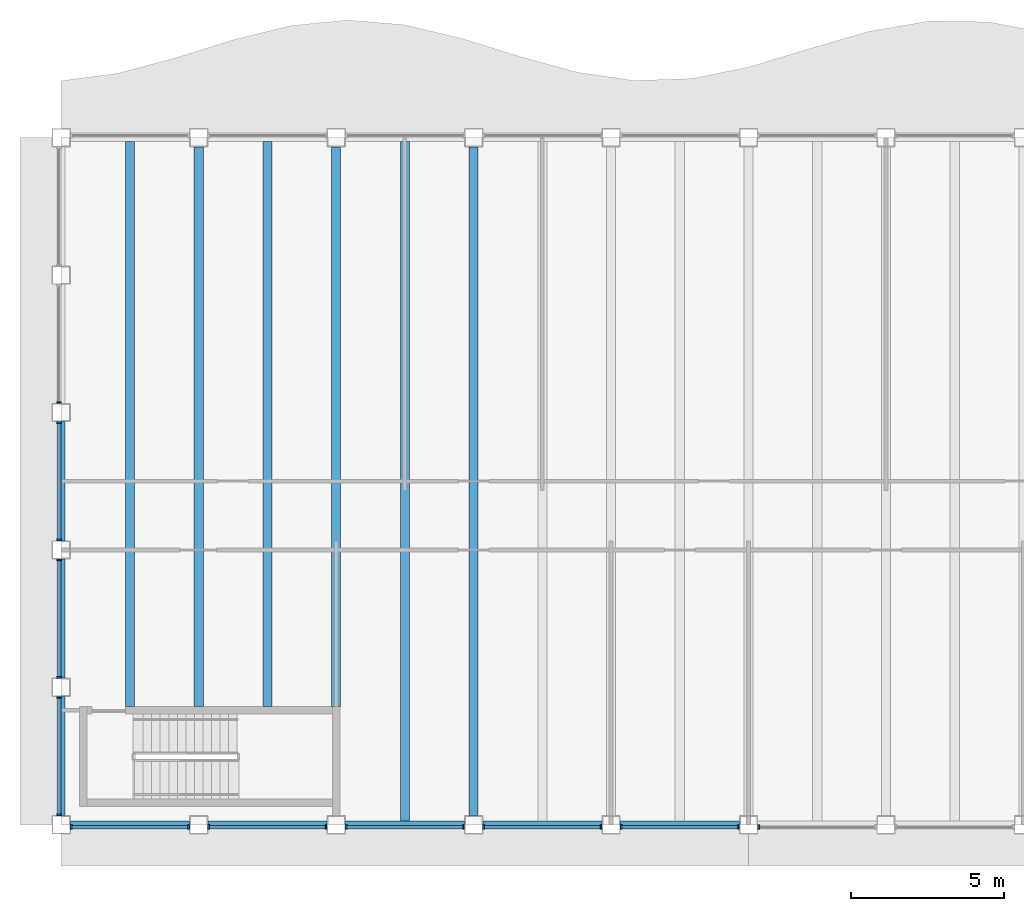
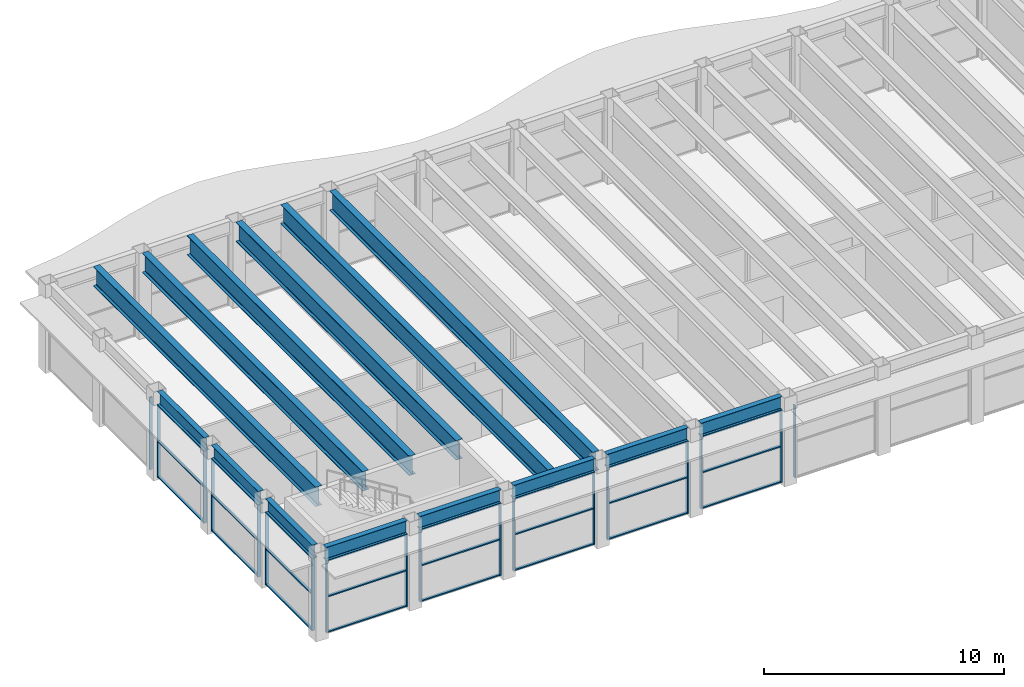
# One storey, part 2 of 14: 42 members, 14 beams, 10 elements without a shape of their own.
"""IFC4 building model written with IfcOpenShell, lengths in metres."""

from ifc_helpers import new_model, si_unit, direction, frame, origin, origin_2d, place, context, subcontext, project, spatial, rectangle, i_section, extrude, material, material_profile, profile_set, type_object, element, aggregate, save


model = new_model("IFC4")

# Units and contexts
model_context = context("Model", 3, precision=1e-05, world=origin(), true_north=direction((0.0, 1.0)))
body_context = subcontext(model_context, "Body", "Model", "MODEL_VIEW")
ifc_project = project(units=[si_unit("LENGTHUNIT", "METRE"), si_unit("AREAUNIT", "SQUARE_METRE"), si_unit("VOLUMEUNIT", "CUBIC_METRE"), si_unit("PLANEANGLEUNIT", "RADIAN"), si_unit("MASSUNIT", "GRAM", prefix="KILO")], contexts=[model_context])

# Site, building, storey
site_placement = place(None, origin())
site = spatial("IfcSite", under=ifc_project, at=site_placement, CompositionType="ELEMENT")
building_placement = place(site_placement, origin())
building = spatial("IfcBuilding", under=site, at=building_placement, Name="Sennacour Bend Tower", CompositionType="ELEMENT")
storey_placement = place(building_placement, frame((0.0, 0.0, 305.0)))
storey = spatial("IfcBuildingStorey", under=building, at=storey_placement, Name="L70", CompositionType="ELEMENT", Elevation=305.0)

# Curtain wall, members
ifc_material_1 = material(Name="Bronze anodised aluminium curtain wall with clear glass", Category="aluminium")
curtain_wall_type = type_object("IfcCurtainWallType", Name="CURTAIN WALL EXEC", PredefinedType="NOTDEFINED", material=ifc_material_1)
curtain_wall_1_placement = place(storey_placement, origin())
curtain_wall_1 = element("IfcCurtainWall", 1, at=curtain_wall_1_placement, inside=storey, type_object=curtain_wall_type, Name="Executive floor glass wall L70", PredefinedType="NOTDEFINED")
ifc_material_2 = material(Name="Aluminium 6063-T6", Category="aluminium")
ifc_material_profile_1 = material_profile(ifc_material_2, rectangle(XDim=0.14990234375, YDim=0.06005859375, at=origin_2d()), Name="Aluminium 6063-T6", Category="aluminium")
ifc_profile_set_1 = profile_set([ifc_material_profile_1], Name="Aluminium 6063-T6")
member_type_1 = type_object("IfcMemberType", Name="CW-MULLION-150X60", PredefinedType="MULLION", material=ifc_profile_set_1)
member_1_placement = place(storey_placement, frame((0.330078125, -0.074951171875, 0.0), z_axis=(0.0, 0.0, 1.0), x_axis=(0.0, 1.0, 0.0)))
member_1 = element("IfcMember", 2, at=member_1_placement, type_object=member_type_1, Name="GW3 curtain wall mullion 1", PredefinedType="MULLION", context=body_context, shape_type="SweptSolid", body=[
    extrude(rectangle(XDim=0.14990234375, YDim=0.06005859375, at=origin_2d()), origin(), (0.0, 0.0, 1.0), 3.672119140625),
])
member_2_placement = place(storey_placement, frame((4.169921875, -0.074951171875, 0.0), z_axis=(0.0, 0.0, 1.0), x_axis=(0.0, 1.0, 0.0)))
member_2 = element("IfcMember", 3, at=member_2_placement, type_object=member_type_1, Name="GW3 curtain wall mullion 2", PredefinedType="MULLION", context=body_context, shape_type="SweptSolid", body=[
    extrude(rectangle(XDim=0.14990234375, YDim=0.06005859375, at=origin_2d()), origin(), (0.0, 0.0, 1.0), 3.672119140625),
])

curtain_wall_2_placement = place(storey_placement, origin())
curtain_wall_2 = element("IfcCurtainWall", 4, at=curtain_wall_2_placement, inside=storey, type_object=curtain_wall_type, Name="Executive floor glass wall L70", PredefinedType="NOTDEFINED")
member_3_placement = place(storey_placement, frame((4.830078125, -0.074951171875, 0.0), z_axis=(0.0, 0.0, 1.0), x_axis=(0.0, 1.0, 0.0)))
member_3 = element("IfcMember", 5, at=member_3_placement, type_object=member_type_1, Name="GW3 curtain wall mullion 1", PredefinedType="MULLION", context=body_context, shape_type="SweptSolid", body=[
    extrude(rectangle(XDim=0.14990234375, YDim=0.06005859375, at=origin_2d()), origin(), (0.0, 0.0, 1.0), 3.672119140625),
])
member_4_placement = place(storey_placement, frame((8.669921875, -0.074951171875, 0.0), z_axis=(0.0, 0.0, 1.0), x_axis=(0.0, 1.0, 0.0)))
member_4 = element("IfcMember", 6, at=member_4_placement, type_object=member_type_1, Name="GW3 curtain wall mullion 2", PredefinedType="MULLION", context=body_context, shape_type="SweptSolid", body=[
    extrude(rectangle(XDim=0.14990234375, YDim=0.06005859375, at=origin_2d()), origin(), (0.0, 0.0, 1.0), 3.672119140625),
])

curtain_wall_3_placement = place(storey_placement, origin())
curtain_wall_3 = element("IfcCurtainWall", 7, at=curtain_wall_3_placement, inside=storey, type_object=curtain_wall_type, Name="Executive floor glass wall L70", PredefinedType="NOTDEFINED")
member_5_placement = place(storey_placement, frame((9.330078125, -0.074951171875, 0.0), z_axis=(0.0, 0.0, 1.0), x_axis=(0.0, 1.0, 0.0)))
member_5 = element("IfcMember", 8, at=member_5_placement, type_object=member_type_1, Name="GW3 curtain wall mullion 1", PredefinedType="MULLION", context=body_context, shape_type="SweptSolid", body=[
    extrude(rectangle(XDim=0.14990234375, YDim=0.06005859375, at=origin_2d()), origin(), (0.0, 0.0, 1.0), 3.672119140625),
])
member_6_placement = place(storey_placement, frame((13.169921875, -0.074951171875, 0.0), z_axis=(0.0, 0.0, 1.0), x_axis=(0.0, 1.0, 0.0)))
member_6 = element("IfcMember", 9, at=member_6_placement, type_object=member_type_1, Name="GW3 curtain wall mullion 2", PredefinedType="MULLION", context=body_context, shape_type="SweptSolid", body=[
    extrude(rectangle(XDim=0.14990234375, YDim=0.06005859375, at=origin_2d()), origin(), (0.0, 0.0, 1.0), 3.672119140625),
])

curtain_wall_4_placement = place(storey_placement, origin())
curtain_wall_4 = element("IfcCurtainWall", 10, at=curtain_wall_4_placement, inside=storey, type_object=curtain_wall_type, Name="Executive floor glass wall L70", PredefinedType="NOTDEFINED")
member_7_placement = place(storey_placement, frame((13.830078125, -0.074951171875, 0.0), z_axis=(0.0, 0.0, 1.0), x_axis=(0.0, 1.0, 0.0)))
member_7 = element("IfcMember", 11, at=member_7_placement, type_object=member_type_1, Name="GW3 curtain wall mullion 1", PredefinedType="MULLION", context=body_context, shape_type="SweptSolid", body=[
    extrude(rectangle(XDim=0.14990234375, YDim=0.06005859375, at=origin_2d()), origin(), (0.0, 0.0, 1.0), 3.672119140625),
])
member_8_placement = place(storey_placement, frame((17.669921875, -0.074951171875, 0.0), z_axis=(0.0, 0.0, 1.0), x_axis=(0.0, 1.0, 0.0)))
member_8 = element("IfcMember", 12, at=member_8_placement, type_object=member_type_1, Name="GW3 curtain wall mullion 2", PredefinedType="MULLION", context=body_context, shape_type="SweptSolid", body=[
    extrude(rectangle(XDim=0.14990234375, YDim=0.06005859375, at=origin_2d()), origin(), (0.0, 0.0, 1.0), 3.672119140625),
])

curtain_wall_5_placement = place(storey_placement, origin())
curtain_wall_5 = element("IfcCurtainWall", 13, at=curtain_wall_5_placement, inside=storey, type_object=curtain_wall_type, Name="Executive floor glass wall L70", PredefinedType="NOTDEFINED")
member_9_placement = place(storey_placement, frame((18.330078125, -0.074951171875, 0.0), z_axis=(0.0, 0.0, 1.0), x_axis=(0.0, 1.0, 0.0)))
member_9 = element("IfcMember", 14, at=member_9_placement, type_object=member_type_1, Name="GW3 curtain wall mullion 1", PredefinedType="MULLION", context=body_context, shape_type="SweptSolid", body=[
    extrude(rectangle(XDim=0.14990234375, YDim=0.06005859375, at=origin_2d()), origin(), (0.0, 0.0, 1.0), 3.672119140625),
])
member_10_placement = place(storey_placement, frame((22.169921875, -0.074951171875, 0.0), z_axis=(0.0, 0.0, 1.0), x_axis=(0.0, 1.0, 0.0)))
member_10 = element("IfcMember", 15, at=member_10_placement, type_object=member_type_1, Name="GW3 curtain wall mullion 2", PredefinedType="MULLION", context=body_context, shape_type="SweptSolid", body=[
    extrude(rectangle(XDim=0.14990234375, YDim=0.06005859375, at=origin_2d()), origin(), (0.0, 0.0, 1.0), 3.672119140625),
])

# Curtain wall, member
curtain_wall_6_placement = place(storey_placement, origin())
curtain_wall_6 = element("IfcCurtainWall", 16, at=curtain_wall_6_placement, inside=storey, type_object=curtain_wall_type, Name="Executive floor glass wall L70", PredefinedType="NOTDEFINED")
member_11_placement = place(storey_placement, frame((22.830078125, -0.074951171875, 0.0), z_axis=(0.0, 0.0, 1.0), x_axis=(0.0, 1.0, 0.0)))
member_11 = element("IfcMember", 17, at=member_11_placement, type_object=member_type_1, Name="GW3 curtain wall mullion 1", PredefinedType="MULLION", context=body_context, shape_type="SweptSolid", body=[
    extrude(rectangle(XDim=0.14990234375, YDim=0.06005859375, at=origin_2d()), origin(), (0.0, 0.0, 1.0), 3.672119140625),
])
aggregate(curtain_wall_6, [member_11])

curtain_wall_7_placement = place(storey_placement, origin())
curtain_wall_7 = element("IfcCurtainWall", 18, at=curtain_wall_7_placement, inside=storey, type_object=curtain_wall_type, Name="Executive floor glass wall L70", PredefinedType="NOTDEFINED")
member_12_placement = place(storey_placement, frame((-0.074951171875, 13.830078125, 0.0), z_axis=(0.0, 0.0, 1.0), x_axis=(1.0, 0.0, 0.0)))
member_12 = element("IfcMember", 19, at=member_12_placement, type_object=member_type_1, Name="GW3 curtain wall mullion 2", PredefinedType="MULLION", context=body_context, shape_type="SweptSolid", body=[
    extrude(rectangle(XDim=0.14990234375, YDim=0.06005859375, at=origin_2d()), origin(), (0.0, 0.0, 1.0), 3.672119140625),
])
aggregate(curtain_wall_7, [member_12])

# Curtain wall, members
curtain_wall_8_placement = place(storey_placement, origin())
curtain_wall_8 = element("IfcCurtainWall", 20, at=curtain_wall_8_placement, inside=storey, type_object=curtain_wall_type, Name="Executive floor glass wall L70", PredefinedType="NOTDEFINED")
member_13_placement = place(storey_placement, frame((-0.074951171875, 13.169921875, 0.0), z_axis=(0.0, 0.0, 1.0), x_axis=(1.0, 0.0, 0.0)))
member_13 = element("IfcMember", 21, at=member_13_placement, type_object=member_type_1, Name="GW3 curtain wall mullion 1", PredefinedType="MULLION", context=body_context, shape_type="SweptSolid", body=[
    extrude(rectangle(XDim=0.14990234375, YDim=0.06005859375, at=origin_2d()), origin(), (0.0, 0.0, 1.0), 3.672119140625),
])
member_14_placement = place(storey_placement, frame((-0.074951171875, 9.330078125, 0.0), z_axis=(0.0, 0.0, 1.0), x_axis=(1.0, 0.0, 0.0)))
member_14 = element("IfcMember", 22, at=member_14_placement, type_object=member_type_1, Name="GW3 curtain wall mullion 2", PredefinedType="MULLION", context=body_context, shape_type="SweptSolid", body=[
    extrude(rectangle(XDim=0.14990234375, YDim=0.06005859375, at=origin_2d()), origin(), (0.0, 0.0, 1.0), 3.672119140625),
])

curtain_wall_9_placement = place(storey_placement, origin())
curtain_wall_9 = element("IfcCurtainWall", 23, at=curtain_wall_9_placement, inside=storey, type_object=curtain_wall_type, Name="Executive floor glass wall L70", PredefinedType="NOTDEFINED")
member_15_placement = place(storey_placement, frame((-0.074951171875, 8.669921875, 0.0), z_axis=(0.0, 0.0, 1.0), x_axis=(1.0, 0.0, 0.0)))
member_15 = element("IfcMember", 24, at=member_15_placement, type_object=member_type_1, Name="GW3 curtain wall mullion 1", PredefinedType="MULLION", context=body_context, shape_type="SweptSolid", body=[
    extrude(rectangle(XDim=0.14990234375, YDim=0.06005859375, at=origin_2d()), origin(), (0.0, 0.0, 1.0), 3.672119140625),
])
member_16_placement = place(storey_placement, frame((-0.074951171875, 4.830078125, 0.0), z_axis=(0.0, 0.0, 1.0), x_axis=(1.0, 0.0, 0.0)))
member_16 = element("IfcMember", 25, at=member_16_placement, type_object=member_type_1, Name="GW3 curtain wall mullion 2", PredefinedType="MULLION", context=body_context, shape_type="SweptSolid", body=[
    extrude(rectangle(XDim=0.14990234375, YDim=0.06005859375, at=origin_2d()), origin(), (0.0, 0.0, 1.0), 3.672119140625),
])

curtain_wall_10_placement = place(storey_placement, origin())
curtain_wall_10 = element("IfcCurtainWall", 26, at=curtain_wall_10_placement, inside=storey, type_object=curtain_wall_type, Name="Executive floor glass wall L70", PredefinedType="NOTDEFINED")
member_17_placement = place(storey_placement, frame((-0.074951171875, 4.169921875, 0.0), z_axis=(0.0, 0.0, 1.0), x_axis=(1.0, 0.0, 0.0)))
member_17 = element("IfcMember", 27, at=member_17_placement, type_object=member_type_1, Name="GW3 curtain wall mullion 1", PredefinedType="MULLION", context=body_context, shape_type="SweptSolid", body=[
    extrude(rectangle(XDim=0.14990234375, YDim=0.06005859375, at=origin_2d()), origin(), (0.0, 0.0, 1.0), 3.672119140625),
])
member_18_placement = place(storey_placement, frame((-0.074951171875, 0.330078125, 0.0), z_axis=(0.0, 0.0, 1.0), x_axis=(1.0, 0.0, 0.0)))
member_18 = element("IfcMember", 28, at=member_18_placement, type_object=member_type_1, Name="GW3 curtain wall mullion 2", PredefinedType="MULLION", context=body_context, shape_type="SweptSolid", body=[
    extrude(rectangle(XDim=0.14990234375, YDim=0.06005859375, at=origin_2d()), origin(), (0.0, 0.0, 1.0), 3.672119140625),
])

# Member
ifc_material_profile_2 = material_profile(ifc_material_2, rectangle(XDim=0.1201171875, YDim=0.06005859375, at=origin_2d()), Name="Aluminium 6063-T6", Category="aluminium")
ifc_profile_set_2 = profile_set([ifc_material_profile_2], Name="Aluminium 6063-T6")
member_type_2 = type_object("IfcMemberType", Name="CW-TRANSOM-120X60", PredefinedType="USERDEFINED", material=ifc_profile_set_2)
member_19_placement = place(storey_placement, frame((0.360107421875, -0.074951171875, 0.030029296875), z_axis=(1.0, 0.0, 0.0), x_axis=(0.0, 1.0, 0.0)))
member_19 = element("IfcMember", 29, at=member_19_placement, type_object=member_type_2, Name="GW3 curtain wall transom 1.1", ObjectType="TRANSOM", PredefinedType="USERDEFINED", context=body_context, shape_type="SweptSolid", body=[
    extrude(rectangle(XDim=0.1201171875, YDim=0.06005859375, at=origin_2d()), origin(), (0.0, 0.0, 1.0), 3.77978515625),
])

member_20_placement = place(storey_placement, frame((0.360107421875, -0.074951171875, 1.8359375), z_axis=(1.0, 0.0, 0.0), x_axis=(0.0, 1.0, 0.0)))
member_20 = element("IfcMember", 30, at=member_20_placement, type_object=member_type_2, Name="GW3 curtain wall transom 1.2", ObjectType="TRANSOM", PredefinedType="USERDEFINED", context=body_context, shape_type="SweptSolid", body=[
    extrude(rectangle(XDim=0.1201171875, YDim=0.06005859375, at=origin_2d()), origin(), (0.0, 0.0, 1.0), 3.77978515625),
])

member_21_placement = place(storey_placement, frame((0.360107421875, -0.074951171875, 3.64208984375), z_axis=(1.0, 0.0, 0.0), x_axis=(0.0, 1.0, 0.0)))
member_21 = element("IfcMember", 31, at=member_21_placement, type_object=member_type_2, Name="GW3 curtain wall transom 1.3", ObjectType="TRANSOM", PredefinedType="USERDEFINED", context=body_context, shape_type="SweptSolid", body=[
    extrude(rectangle(XDim=0.1201171875, YDim=0.06005859375, at=origin_2d()), origin(), (0.0, 0.0, 1.0), 3.77978515625),
])

aggregate(curtain_wall_1, [member_1, member_2, member_19, member_20, member_21])

member_22_placement = place(storey_placement, frame((4.860107421875, -0.074951171875, 0.030029296875), z_axis=(1.0, 0.0, 0.0), x_axis=(0.0, 1.0, 0.0)))
member_22 = element("IfcMember", 32, at=member_22_placement, type_object=member_type_2, Name="GW3 curtain wall transom 1.1", ObjectType="TRANSOM", PredefinedType="USERDEFINED", context=body_context, shape_type="SweptSolid", body=[
    extrude(rectangle(XDim=0.1201171875, YDim=0.06005859375, at=origin_2d()), origin(), (0.0, 0.0, 1.0), 3.77978515625),
])

member_23_placement = place(storey_placement, frame((4.860107421875, -0.074951171875, 1.8359375), z_axis=(1.0, 0.0, 0.0), x_axis=(0.0, 1.0, 0.0)))
member_23 = element("IfcMember", 33, at=member_23_placement, type_object=member_type_2, Name="GW3 curtain wall transom 1.2", ObjectType="TRANSOM", PredefinedType="USERDEFINED", context=body_context, shape_type="SweptSolid", body=[
    extrude(rectangle(XDim=0.1201171875, YDim=0.06005859375, at=origin_2d()), origin(), (0.0, 0.0, 1.0), 3.77978515625),
])

member_24_placement = place(storey_placement, frame((4.860107421875, -0.074951171875, 3.64208984375), z_axis=(1.0, 0.0, 0.0), x_axis=(0.0, 1.0, 0.0)))
member_24 = element("IfcMember", 34, at=member_24_placement, type_object=member_type_2, Name="GW3 curtain wall transom 1.3", ObjectType="TRANSOM", PredefinedType="USERDEFINED", context=body_context, shape_type="SweptSolid", body=[
    extrude(rectangle(XDim=0.1201171875, YDim=0.06005859375, at=origin_2d()), origin(), (0.0, 0.0, 1.0), 3.77978515625),
])

aggregate(curtain_wall_2, [member_3, member_4, member_22, member_23, member_24])

member_25_placement = place(storey_placement, frame((9.360107421875, -0.074951171875, 0.030029296875), z_axis=(1.0, 0.0, 0.0), x_axis=(0.0, 1.0, 0.0)))
member_25 = element("IfcMember", 35, at=member_25_placement, type_object=member_type_2, Name="GW3 curtain wall transom 1.1", ObjectType="TRANSOM", PredefinedType="USERDEFINED", context=body_context, shape_type="SweptSolid", body=[
    extrude(rectangle(XDim=0.1201171875, YDim=0.06005859375, at=origin_2d()), origin(), (0.0, 0.0, 1.0), 3.77978515625),
])

member_26_placement = place(storey_placement, frame((9.360107421875, -0.074951171875, 1.8359375), z_axis=(1.0, 0.0, 0.0), x_axis=(0.0, 1.0, 0.0)))
member_26 = element("IfcMember", 36, at=member_26_placement, type_object=member_type_2, Name="GW3 curtain wall transom 1.2", ObjectType="TRANSOM", PredefinedType="USERDEFINED", context=body_context, shape_type="SweptSolid", body=[
    extrude(rectangle(XDim=0.1201171875, YDim=0.06005859375, at=origin_2d()), origin(), (0.0, 0.0, 1.0), 3.77978515625),
])

member_27_placement = place(storey_placement, frame((9.360107421875, -0.074951171875, 3.64208984375), z_axis=(1.0, 0.0, 0.0), x_axis=(0.0, 1.0, 0.0)))
member_27 = element("IfcMember", 37, at=member_27_placement, type_object=member_type_2, Name="GW3 curtain wall transom 1.3", ObjectType="TRANSOM", PredefinedType="USERDEFINED", context=body_context, shape_type="SweptSolid", body=[
    extrude(rectangle(XDim=0.1201171875, YDim=0.06005859375, at=origin_2d()), origin(), (0.0, 0.0, 1.0), 3.77978515625),
])

aggregate(curtain_wall_3, [member_5, member_6, member_25, member_26, member_27])

member_28_placement = place(storey_placement, frame((13.860107421875, -0.074951171875, 0.030029296875), z_axis=(1.0, 0.0, 0.0), x_axis=(0.0, 1.0, 0.0)))
member_28 = element("IfcMember", 38, at=member_28_placement, type_object=member_type_2, Name="GW3 curtain wall transom 1.1", ObjectType="TRANSOM", PredefinedType="USERDEFINED", context=body_context, shape_type="SweptSolid", body=[
    extrude(rectangle(XDim=0.1201171875, YDim=0.06005859375, at=origin_2d()), origin(), (0.0, 0.0, 1.0), 3.77978515625),
])

member_29_placement = place(storey_placement, frame((13.860107421875, -0.074951171875, 1.8359375), z_axis=(1.0, 0.0, 0.0), x_axis=(0.0, 1.0, 0.0)))
member_29 = element("IfcMember", 39, at=member_29_placement, type_object=member_type_2, Name="GW3 curtain wall transom 1.2", ObjectType="TRANSOM", PredefinedType="USERDEFINED", context=body_context, shape_type="SweptSolid", body=[
    extrude(rectangle(XDim=0.1201171875, YDim=0.06005859375, at=origin_2d()), origin(), (0.0, 0.0, 1.0), 3.77978515625),
])

member_30_placement = place(storey_placement, frame((13.860107421875, -0.074951171875, 3.64208984375), z_axis=(1.0, 0.0, 0.0), x_axis=(0.0, 1.0, 0.0)))
member_30 = element("IfcMember", 40, at=member_30_placement, type_object=member_type_2, Name="GW3 curtain wall transom 1.3", ObjectType="TRANSOM", PredefinedType="USERDEFINED", context=body_context, shape_type="SweptSolid", body=[
    extrude(rectangle(XDim=0.1201171875, YDim=0.06005859375, at=origin_2d()), origin(), (0.0, 0.0, 1.0), 3.77978515625),
])

aggregate(curtain_wall_4, [member_7, member_8, member_28, member_29, member_30])

member_31_placement = place(storey_placement, frame((18.360107421875, -0.074951171875, 0.030029296875), z_axis=(1.0, 0.0, 0.0), x_axis=(0.0, 1.0, 0.0)))
member_31 = element("IfcMember", 41, at=member_31_placement, type_object=member_type_2, Name="GW3 curtain wall transom 1.1", ObjectType="TRANSOM", PredefinedType="USERDEFINED", context=body_context, shape_type="SweptSolid", body=[
    extrude(rectangle(XDim=0.1201171875, YDim=0.06005859375, at=origin_2d()), origin(), (0.0, 0.0, 1.0), 3.77978515625),
])

member_32_placement = place(storey_placement, frame((18.360107421875, -0.074951171875, 1.8359375), z_axis=(1.0, 0.0, 0.0), x_axis=(0.0, 1.0, 0.0)))
member_32 = element("IfcMember", 42, at=member_32_placement, type_object=member_type_2, Name="GW3 curtain wall transom 1.2", ObjectType="TRANSOM", PredefinedType="USERDEFINED", context=body_context, shape_type="SweptSolid", body=[
    extrude(rectangle(XDim=0.1201171875, YDim=0.06005859375, at=origin_2d()), origin(), (0.0, 0.0, 1.0), 3.77978515625),
])

member_33_placement = place(storey_placement, frame((18.360107421875, -0.074951171875, 3.64208984375), z_axis=(1.0, 0.0, 0.0), x_axis=(0.0, 1.0, 0.0)))
member_33 = element("IfcMember", 43, at=member_33_placement, type_object=member_type_2, Name="GW3 curtain wall transom 1.3", ObjectType="TRANSOM", PredefinedType="USERDEFINED", context=body_context, shape_type="SweptSolid", body=[
    extrude(rectangle(XDim=0.1201171875, YDim=0.06005859375, at=origin_2d()), origin(), (0.0, 0.0, 1.0), 3.77978515625),
])

aggregate(curtain_wall_5, [member_9, member_10, member_31, member_32, member_33])

member_34_placement = place(storey_placement, frame((-0.074951171875, 13.139892578125, 0.030029296875), z_axis=(0.0, -1.0, 0.0), x_axis=(1.0, 0.0, 0.0)))
member_34 = element("IfcMember", 44, at=member_34_placement, type_object=member_type_2, Name="GW3 curtain wall transom 1.1", ObjectType="TRANSOM", PredefinedType="USERDEFINED", context=body_context, shape_type="SweptSolid", body=[
    extrude(rectangle(XDim=0.1201171875, YDim=0.06005859375, at=origin_2d()), origin(), (0.0, 0.0, 1.0), 3.77978515625),
])

member_35_placement = place(storey_placement, frame((-0.074951171875, 13.139892578125, 1.8359375), z_axis=(0.0, -1.0, 0.0), x_axis=(1.0, 0.0, 0.0)))
member_35 = element("IfcMember", 45, at=member_35_placement, type_object=member_type_2, Name="GW3 curtain wall transom 1.2", ObjectType="TRANSOM", PredefinedType="USERDEFINED", context=body_context, shape_type="SweptSolid", body=[
    extrude(rectangle(XDim=0.1201171875, YDim=0.06005859375, at=origin_2d()), origin(), (0.0, 0.0, 1.0), 3.77978515625),
])

member_36_placement = place(storey_placement, frame((-0.074951171875, 13.139892578125, 3.64208984375), z_axis=(0.0, -1.0, 0.0), x_axis=(1.0, 0.0, 0.0)))
member_36 = element("IfcMember", 46, at=member_36_placement, type_object=member_type_2, Name="GW3 curtain wall transom 1.3", ObjectType="TRANSOM", PredefinedType="USERDEFINED", context=body_context, shape_type="SweptSolid", body=[
    extrude(rectangle(XDim=0.1201171875, YDim=0.06005859375, at=origin_2d()), origin(), (0.0, 0.0, 1.0), 3.77978515625),
])

aggregate(curtain_wall_8, [member_13, member_14, member_34, member_35, member_36])

member_37_placement = place(storey_placement, frame((-0.074951171875, 8.639892578125, 0.030029296875), z_axis=(0.0, -1.0, 0.0), x_axis=(1.0, 0.0, 0.0)))
member_37 = element("IfcMember", 47, at=member_37_placement, type_object=member_type_2, Name="GW3 curtain wall transom 1.1", ObjectType="TRANSOM", PredefinedType="USERDEFINED", context=body_context, shape_type="SweptSolid", body=[
    extrude(rectangle(XDim=0.1201171875, YDim=0.06005859375, at=origin_2d()), origin(), (0.0, 0.0, 1.0), 3.77978515625),
])

member_38_placement = place(storey_placement, frame((-0.074951171875, 8.639892578125, 1.8359375), z_axis=(0.0, -1.0, 0.0), x_axis=(1.0, 0.0, 0.0)))
member_38 = element("IfcMember", 48, at=member_38_placement, type_object=member_type_2, Name="GW3 curtain wall transom 1.2", ObjectType="TRANSOM", PredefinedType="USERDEFINED", context=body_context, shape_type="SweptSolid", body=[
    extrude(rectangle(XDim=0.1201171875, YDim=0.06005859375, at=origin_2d()), origin(), (0.0, 0.0, 1.0), 3.77978515625),
])

member_39_placement = place(storey_placement, frame((-0.074951171875, 8.639892578125, 3.64208984375), z_axis=(0.0, -1.0, 0.0), x_axis=(1.0, 0.0, 0.0)))
member_39 = element("IfcMember", 49, at=member_39_placement, type_object=member_type_2, Name="GW3 curtain wall transom 1.3", ObjectType="TRANSOM", PredefinedType="USERDEFINED", context=body_context, shape_type="SweptSolid", body=[
    extrude(rectangle(XDim=0.1201171875, YDim=0.06005859375, at=origin_2d()), origin(), (0.0, 0.0, 1.0), 3.77978515625),
])

aggregate(curtain_wall_9, [member_15, member_16, member_37, member_38, member_39])

member_40_placement = place(storey_placement, frame((-0.074951171875, 4.139892578125, 0.030029296875), z_axis=(0.0, -1.0, 0.0), x_axis=(1.0, 0.0, 0.0)))
member_40 = element("IfcMember", 50, at=member_40_placement, type_object=member_type_2, Name="GW3 curtain wall transom 1.1", ObjectType="TRANSOM", PredefinedType="USERDEFINED", context=body_context, shape_type="SweptSolid", body=[
    extrude(rectangle(XDim=0.1201171875, YDim=0.06005859375, at=origin_2d()), origin(), (0.0, 0.0, 1.0), 3.77978515625),
])

member_41_placement = place(storey_placement, frame((-0.074951171875, 4.139892578125, 1.8359375), z_axis=(0.0, -1.0, 0.0), x_axis=(1.0, 0.0, 0.0)))
member_41 = element("IfcMember", 51, at=member_41_placement, type_object=member_type_2, Name="GW3 curtain wall transom 1.2", ObjectType="TRANSOM", PredefinedType="USERDEFINED", context=body_context, shape_type="SweptSolid", body=[
    extrude(rectangle(XDim=0.1201171875, YDim=0.06005859375, at=origin_2d()), origin(), (0.0, 0.0, 1.0), 3.77978515625),
])

member_42_placement = place(storey_placement, frame((-0.074951171875, 4.139892578125, 3.64208984375), z_axis=(0.0, -1.0, 0.0), x_axis=(1.0, 0.0, 0.0)))
member_42 = element("IfcMember", 52, at=member_42_placement, type_object=member_type_2, Name="GW3 curtain wall transom 1.3", ObjectType="TRANSOM", PredefinedType="USERDEFINED", context=body_context, shape_type="SweptSolid", body=[
    extrude(rectangle(XDim=0.1201171875, YDim=0.06005859375, at=origin_2d()), origin(), (0.0, 0.0, 1.0), 3.77978515625),
])

aggregate(curtain_wall_10, [member_17, member_18, member_40, member_41, member_42])

# Beams
ifc_material_3 = material(Name="Steel ASTM A992 Grade 50", Category="steel")
ifc_material_profile_3 = material_profile(ifc_material_3, i_section(OverallWidth=0.300048828125, OverallDepth=0.990966796875, WebThickness=0.0166015625, FlangeThickness=0.030517578125, FilletRadius=0.030029296875, at=origin_2d()), Name="Steel ASTM A992 Grade 50", Category="steel")
ifc_profile_set_3 = profile_set([ifc_material_profile_3], Name="Steel ASTM A992 Grade 50")
beam_type_1 = type_object("IfcBeamType", Name="Floor beam W1000X272", PredefinedType="BEAM", material=ifc_profile_set_3)
beam_1_placement = place(storey_placement, frame((2.25, 3.875, 3.8544921875), z_axis=(0.0, 1.0, 0.0), x_axis=(-1.0, 0.0, 0.0)))
element("IfcBeam", 53, at=beam_1_placement, inside=storey, type_object=beam_type_1, Name="Floor beam FBM3 L71-001", PredefinedType="BEAM", context=body_context, shape_type="SweptSolid", body=[
    extrude(i_section(OverallWidth=0.300048828125, OverallDepth=0.990966796875, WebThickness=0.0166015625, FlangeThickness=0.030517578125, FilletRadius=0.030029296875, at=origin_2d()), origin(), (0.0, 0.0, 1.0), 18.498046875),
])
beam_2_placement = place(storey_placement, frame((4.5, 3.875, 3.8544921875), z_axis=(0.0, 1.0, 0.0), x_axis=(-1.0, 0.0, 0.0)))
element("IfcBeam", 54, at=beam_2_placement, inside=storey, type_object=beam_type_1, Name="Floor beam FBM3 L71-002", PredefinedType="BEAM", context=body_context, shape_type="SweptSolid", body=[
    extrude(i_section(OverallWidth=0.300048828125, OverallDepth=0.990966796875, WebThickness=0.0166015625, FlangeThickness=0.030517578125, FilletRadius=0.030029296875, at=origin_2d()), origin(), (0.0, 0.0, 1.0), 18.324951171875),
])
beam_3_placement = place(storey_placement, frame((6.75, 3.875, 3.8544921875), z_axis=(0.0, 1.0, 0.0), x_axis=(-1.0, 0.0, 0.0)))
element("IfcBeam", 55, at=beam_3_placement, inside=storey, type_object=beam_type_1, Name="Floor beam FBM3 L71-003", PredefinedType="BEAM", context=body_context, shape_type="SweptSolid", body=[
    extrude(i_section(OverallWidth=0.300048828125, OverallDepth=0.990966796875, WebThickness=0.0166015625, FlangeThickness=0.030517578125, FilletRadius=0.030029296875, at=origin_2d()), origin(), (0.0, 0.0, 1.0), 18.498046875),
])
beam_4_placement = place(storey_placement, frame((9.0, 3.875, 3.8544921875), z_axis=(0.0, 1.0, 0.0), x_axis=(-1.0, 0.0, 0.0)))
element("IfcBeam", 56, at=beam_4_placement, inside=storey, type_object=beam_type_1, Name="Floor beam FBM3 L71-004", PredefinedType="BEAM", context=body_context, shape_type="SweptSolid", body=[
    extrude(i_section(OverallWidth=0.300048828125, OverallDepth=0.990966796875, WebThickness=0.0166015625, FlangeThickness=0.030517578125, FilletRadius=0.030029296875, at=origin_2d()), origin(), (0.0, 0.0, 1.0), 18.324951171875),
])
beam_5_placement = place(storey_placement, frame((11.25, 0.126953125, 3.8544921875), z_axis=(0.0, 1.0, 0.0), x_axis=(-1.0, 0.0, 0.0)))
element("IfcBeam", 57, at=beam_5_placement, inside=storey, type_object=beam_type_1, Name="Floor beam FBM3 L71-005", PredefinedType="BEAM", context=body_context, shape_type="SweptSolid", body=[
    extrude(i_section(OverallWidth=0.300048828125, OverallDepth=0.990966796875, WebThickness=0.0166015625, FlangeThickness=0.030517578125, FilletRadius=0.030029296875, at=origin_2d()), origin(), (0.0, 0.0, 1.0), 22.24609375),
])
beam_6_placement = place(storey_placement, frame((13.5, 0.300048828125, 3.8544921875), z_axis=(0.0, 1.0, 0.0), x_axis=(-1.0, 0.0, 0.0)))
element("IfcBeam", 58, at=beam_6_placement, inside=storey, type_object=beam_type_1, Name="Floor beam FBM3 L71-006", PredefinedType="BEAM", context=body_context, shape_type="SweptSolid", body=[
    extrude(i_section(OverallWidth=0.300048828125, OverallDepth=0.990966796875, WebThickness=0.0166015625, FlangeThickness=0.030517578125, FilletRadius=0.030029296875, at=origin_2d()), origin(), (0.0, 0.0, 1.0), 21.89990234375),
])
ifc_material_profile_4 = material_profile(ifc_material_3, i_section(OverallWidth=0.25390625, OverallDepth=0.677978515625, WebThickness=0.01171875, FlangeThickness=0.016357421875, FilletRadius=0.01513671875, at=origin_2d()), Name="Steel ASTM A992 Grade 50", Category="steel")
ifc_profile_set_4 = profile_set([ifc_material_profile_4], Name="Steel ASTM A992 Grade 50")
beam_type_2 = type_object("IfcBeamType", Name="Spandrel beam W690X125", PredefinedType="SPANDREL", material=ifc_profile_set_4)
for number, where, z_axis, x_axis, name in (
    (59, (0.0, 0.300048828125, 4.010986328125), (0.0, 1.0, 0.0), (-1.0, 0.0, 0.0), "Spandrel beam SP7 L71-001"),
    (60, (0.0, 4.800048828125, 4.010986328125), (0.0, 1.0, 0.0), (-1.0, 0.0, 0.0), "Spandrel beam SP7 L71-002"),
    (61, (0.0, 9.300048828125, 4.010986328125), (0.0, 1.0, 0.0), (-1.0, 0.0, 0.0), "Spandrel beam SP7 L71-003"),
    (62, (22.199951171875, 0.0, 4.010986328125), (-1.0, 0.0, 0.0), (0.0, -1.0, 0.0), "Spandrel beam SP7 L71-025"),
    (63, (17.699951171875, 0.0, 4.010986328125), (-1.0, 0.0, 0.0), (0.0, -1.0, 0.0), "Spandrel beam SP7 L71-026"),
    (64, (13.199951171875, 0.0, 4.010986328125), (-1.0, 0.0, 0.0), (0.0, -1.0, 0.0), "Spandrel beam SP7 L71-027"),
    (65, (8.699951171875, 0.0, 4.010986328125), (-1.0, 0.0, 0.0), (0.0, -1.0, 0.0), "Spandrel beam SP7 L71-028"),
    (66, (4.199951171875, 0.0, 4.010986328125), (-1.0, 0.0, 0.0), (0.0, -1.0, 0.0), "Spandrel beam SP7 L71-029"),
):
    element("IfcBeam", number, at=place(storey_placement, frame(where, z_axis=z_axis, x_axis=x_axis)), inside=storey, type_object=beam_type_2, Name=name, PredefinedType="SPANDREL", context=body_context, shape_type="SweptSolid", body=[
        extrude(i_section(OverallWidth=0.25390625, OverallDepth=0.677978515625, WebThickness=0.01171875, FlangeThickness=0.016357421875, FilletRadius=0.01513671875, at=origin_2d()), origin(), (0.0, 0.0, 1.0), 3.89990234375),
    ])

save(model, "model.ifc")
